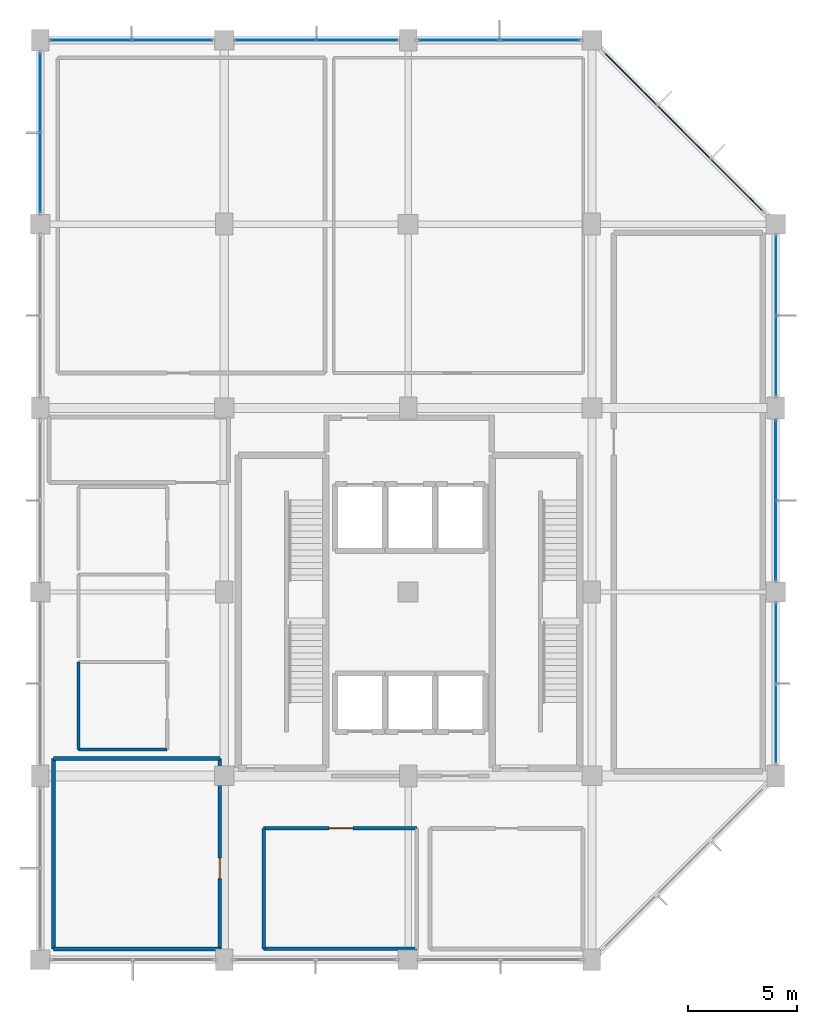
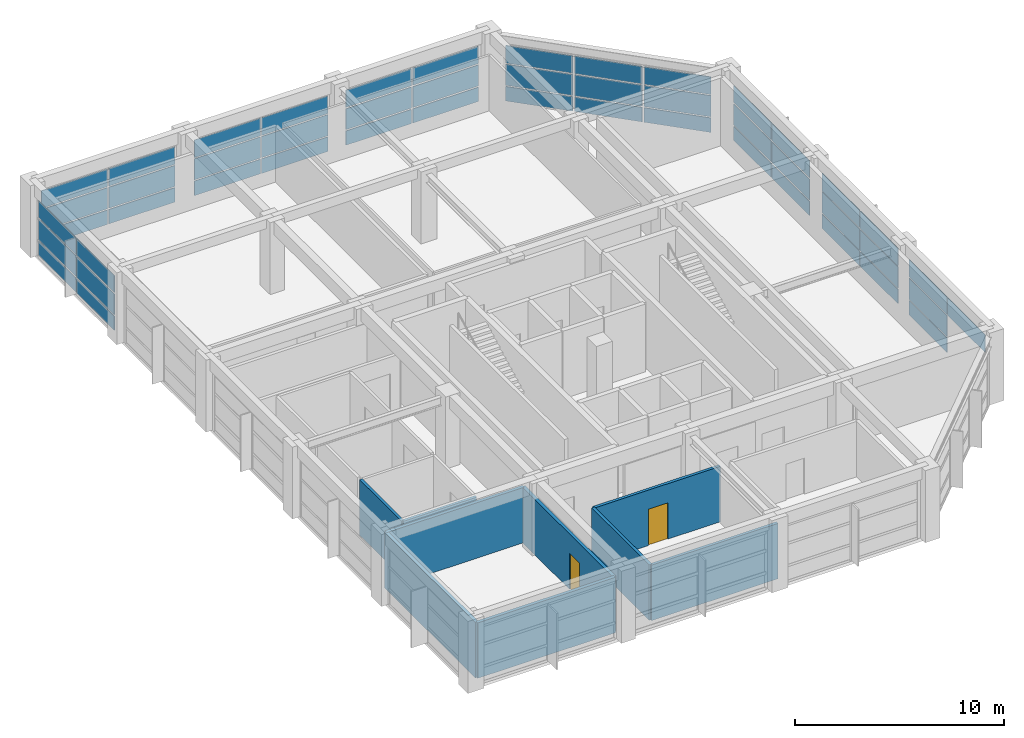
# One storey, part 9 of 12: 49 plates, 9 walls, 2 doors, 2 openings, 8 elements without a shape of their own.
"""IFC4 building model written with IfcOpenShell, lengths in metres."""

from ifc_helpers import new_model, si_unit, direction, frame, frame_2d, origin, origin_2d, place, context, subcontext, project, spatial, rectangle, extrude, material, layer, layer_set, type_object, element, fill, aggregate, save


model = new_model("IFC4")

# Units and contexts
model_context = context("Model", 3, precision=1e-05, world=origin(), true_north=direction((0.0, 1.0)))
body_context = subcontext(model_context, "Body", "Model", "MODEL_VIEW")
ifc_project = project(units=[si_unit("LENGTHUNIT", "METRE"), si_unit("AREAUNIT", "SQUARE_METRE"), si_unit("VOLUMEUNIT", "CUBIC_METRE"), si_unit("PLANEANGLEUNIT", "RADIAN"), si_unit("MASSUNIT", "GRAM", prefix="KILO")], contexts=[model_context])

# Site, building, storey
site_placement = place(None, origin())
site = spatial("IfcSite", under=ifc_project, at=site_placement, CompositionType="ELEMENT")
building_placement = place(site_placement, origin())
building = spatial("IfcBuilding", under=site, at=building_placement, Name="Xuanlan Plaza Opera House", CompositionType="ELEMENT")
storey_placement = place(building_placement, frame((0.0, 0.0, 61.5)))
storey = spatial("IfcBuildingStorey", under=building, at=storey_placement, Name="L14", CompositionType="ELEMENT", Elevation=61.5)

# Curtain wall, plates
ifc_material_1 = material(Name="Anodised Aluminium 6063-T6 and Low-E Glass", Category="aluminium")
curtain_wall_type_1 = type_object("IfcCurtainWallType", Name="ENV-CW-CW-01", PredefinedType="USERDEFINED", material=ifc_material_1)
curtain_wall_1_placement = place(storey_placement, origin())
curtain_wall_1 = element("IfcCurtainWall", 1, at=curtain_wall_1_placement, inside=storey, type_object=curtain_wall_type_1, Name="Unitised Curtain Wall L14-005", ObjectType="UNITISED CURTAIN WALL", PredefinedType="USERDEFINED")
ifc_material_2 = material(Name="Laminated Acoustic Double Glazing", Category="glass")
ifc_layer_1 = layer(ifc_material_2, 0.028076171875)
ifc_layer_set_1 = layer_set([ifc_layer_1], Name="Laminated Acoustic Double Glazing")
plate_type_1 = type_object("IfcPlateType", Name="ENV-CWP-01", PredefinedType="CURTAIN_PANEL", material=ifc_layer_set_1)
plate_1_placement = place(storey_placement, frame((159.60009765625, 52.788818359375, 2.28271484375), z_axis=(0.0, 0.0, 1.0), x_axis=(0.0, 1.0, 0.0)))
plate_1 = element("IfcPlate", 2, at=plate_1_placement, type_object=plate_type_1, Name="CW-01 panel 1.3", PredefinedType="CURTAIN_PANEL", context=body_context, shape_type="SweptSolid", body=[
    extrude(rectangle(XDim=3.607421875, YDim=0.028076171875, at=origin_2d()), origin(), (0.0, 0.0, 1.0), 1.032470703125),
])
plate_2_placement = place(storey_placement, frame((159.60009765625, 56.461181640625, 0.06494140625), z_axis=(0.0, 0.0, 1.0), x_axis=(0.0, 1.0, 0.0)))
plate_2 = element("IfcPlate", 3, at=plate_2_placement, type_object=plate_type_1, Name="CW-01 panel 2.1", PredefinedType="CURTAIN_PANEL", context=body_context, shape_type="SweptSolid", body=[
    extrude(rectangle(XDim=3.607421875, YDim=0.028076171875, at=origin_2d()), origin(), (0.0, 0.0, 1.0), 0.8525390625),
])
plate_3_placement = place(storey_placement, frame((159.60009765625, 56.461181640625, 0.982421875), z_axis=(0.0, 0.0, 1.0), x_axis=(0.0, 1.0, 0.0)))
plate_3 = element("IfcPlate", 4, at=plate_3_placement, type_object=plate_type_1, Name="CW-01 panel 2.2", PredefinedType="CURTAIN_PANEL", context=body_context, shape_type="SweptSolid", body=[
    extrude(rectangle(XDim=3.607421875, YDim=0.028076171875, at=origin_2d()), origin(), (0.0, 0.0, 1.0), 1.235107421875),
])
plate_4_placement = place(storey_placement, frame((159.60009765625, 56.461181640625, 2.28271484375), z_axis=(0.0, 0.0, 1.0), x_axis=(0.0, 1.0, 0.0)))
plate_4 = element("IfcPlate", 5, at=plate_4_placement, type_object=plate_type_1, Name="CW-01 panel 2.3", PredefinedType="CURTAIN_PANEL", context=body_context, shape_type="SweptSolid", body=[
    extrude(rectangle(XDim=3.607421875, YDim=0.028076171875, at=origin_2d()), origin(), (0.0, 0.0, 1.0), 1.032470703125),
])
aggregate(curtain_wall_1, [plate_1, plate_2, plate_3, plate_4])

curtain_wall_type_2 = type_object("IfcCurtainWallType", Name="ENV-CW-CW-02", PredefinedType="USERDEFINED", material=ifc_material_1)
curtain_wall_2_placement = place(storey_placement, origin())
curtain_wall_2 = element("IfcCurtainWall", 6, at=curtain_wall_2_placement, inside=storey, type_object=curtain_wall_type_2, Name="Unitised Curtain Wall L14-010", ObjectType="UNITISED CURTAIN WALL", PredefinedType="USERDEFINED")
plate_5_placement = place(storey_placement, frame((140.486328125, 84.0, 0.06494140625), z_axis=(0.0, 0.0, 1.0), x_axis=(-1.0, 0.0, 0.0)))
plate_5 = element("IfcPlate", 7, at=plate_5_placement, type_object=plate_type_1, Name="CW-02 panel 1.1", PredefinedType="CURTAIN_PANEL", context=body_context, shape_type="SweptSolid", body=[
    extrude(rectangle(XDim=3.657470703125, YDim=0.028076171875, at=origin_2d()), origin(), (0.0, 0.0, 1.0), 0.8525390625),
])
plate_6_placement = place(storey_placement, frame((140.486328125, 84.0, 0.982421875), z_axis=(0.0, 0.0, 1.0), x_axis=(-1.0, 0.0, 0.0)))
plate_6 = element("IfcPlate", 8, at=plate_6_placement, type_object=plate_type_1, Name="CW-02 panel 1.2", PredefinedType="CURTAIN_PANEL", context=body_context, shape_type="SweptSolid", body=[
    extrude(rectangle(XDim=3.657470703125, YDim=0.028076171875, at=origin_2d()), origin(), (0.0, 0.0, 1.0), 1.235107421875),
])
plate_7_placement = place(storey_placement, frame((140.486328125, 84.0, 2.28271484375), z_axis=(0.0, 0.0, 1.0), x_axis=(-1.0, 0.0, 0.0)))
plate_7 = element("IfcPlate", 9, at=plate_7_placement, type_object=plate_type_1, Name="CW-02 panel 1.3", PredefinedType="CURTAIN_PANEL", context=body_context, shape_type="SweptSolid", body=[
    extrude(rectangle(XDim=3.657470703125, YDim=0.028076171875, at=origin_2d()), origin(), (0.0, 0.0, 1.0), 1.032470703125),
])
plate_8_placement = place(storey_placement, frame((136.763671875, 84.0, 0.06494140625), z_axis=(0.0, 0.0, 1.0), x_axis=(-1.0, 0.0, 0.0)))
plate_8 = element("IfcPlate", 10, at=plate_8_placement, type_object=plate_type_1, Name="CW-02 panel 2.1", PredefinedType="CURTAIN_PANEL", context=body_context, shape_type="SweptSolid", body=[
    extrude(rectangle(XDim=3.657470703125, YDim=0.028076171875, at=origin_2d()), origin(), (0.0, 0.0, 1.0), 0.8525390625),
])
plate_9_placement = place(storey_placement, frame((136.763671875, 84.0, 0.982421875), z_axis=(0.0, 0.0, 1.0), x_axis=(-1.0, 0.0, 0.0)))
plate_9 = element("IfcPlate", 11, at=plate_9_placement, type_object=plate_type_1, Name="CW-02 panel 2.2", PredefinedType="CURTAIN_PANEL", context=body_context, shape_type="SweptSolid", body=[
    extrude(rectangle(XDim=3.657470703125, YDim=0.028076171875, at=origin_2d()), origin(), (0.0, 0.0, 1.0), 1.235107421875),
])
plate_10_placement = place(storey_placement, frame((136.763671875, 84.0, 2.28271484375), z_axis=(0.0, 0.0, 1.0), x_axis=(-1.0, 0.0, 0.0)))
plate_10 = element("IfcPlate", 12, at=plate_10_placement, type_object=plate_type_1, Name="CW-02 panel 2.3", PredefinedType="CURTAIN_PANEL", context=body_context, shape_type="SweptSolid", body=[
    extrude(rectangle(XDim=3.657470703125, YDim=0.028076171875, at=origin_2d()), origin(), (0.0, 0.0, 1.0), 1.032470703125),
])
aggregate(curtain_wall_2, [plate_5, plate_6, plate_7, plate_8, plate_9, plate_10])

curtain_wall_type_3 = type_object("IfcCurtainWallType", Name="ENV-CW-CW-03", PredefinedType="USERDEFINED", material=ifc_material_1)
curtain_wall_3_placement = place(storey_placement, origin())
curtain_wall_3 = element("IfcCurtainWall", 13, at=curtain_wall_3_placement, inside=storey, type_object=curtain_wall_type_3, Name="Unitised Curtain Wall L14-007", ObjectType="UNITISED CURTAIN WALL", PredefinedType="USERDEFINED")
ifc_layer_2 = layer(ifc_material_2, 0.031982421875)
ifc_layer_set_2 = layer_set([ifc_layer_2], Name="Laminated Acoustic Double Glazing")
plate_type_2 = type_object("IfcPlateType", Name="ENV-CWP-02", PredefinedType="CURTAIN_PANEL", material=ifc_layer_set_2)
plate_11_placement = place(storey_placement, frame((159.60009765625, 69.59130859375, 0.090087890625), z_axis=(0.0, 0.0, 1.0), x_axis=(0.0, 1.0, 0.0)))
plate_11 = element("IfcPlate", 14, at=plate_11_placement, type_object=plate_type_2, Name="CW-03 panel 1.1", PredefinedType="CURTAIN_PANEL", context=body_context, shape_type="SweptSolid", body=[
    extrude(rectangle(XDim=3.592529296875, YDim=0.031982421875, at=origin_2d()), origin(), (0.0, 0.0, 1.0), 0.81494140625),
])
plate_12_placement = place(storey_placement, frame((159.60009765625, 69.59130859375, 0.9951171875), z_axis=(0.0, 0.0, 1.0), x_axis=(0.0, 1.0, 0.0)))
plate_12 = element("IfcPlate", 15, at=plate_12_placement, type_object=plate_type_2, Name="CW-03 panel 1.2", PredefinedType="CURTAIN_PANEL", context=body_context, shape_type="SweptSolid", body=[
    extrude(rectangle(XDim=3.592529296875, YDim=0.031982421875, at=origin_2d()), origin(), (0.0, 0.0, 1.0), 1.2099609375),
])
plate_13_placement = place(storey_placement, frame((159.60009765625, 69.59130859375, 2.294921875), z_axis=(0.0, 0.0, 1.0), x_axis=(0.0, 1.0, 0.0)))
plate_13 = element("IfcPlate", 16, at=plate_13_placement, type_object=plate_type_2, Name="CW-03 panel 1.3", PredefinedType="CURTAIN_PANEL", context=body_context, shape_type="SweptSolid", body=[
    extrude(rectangle(XDim=3.592529296875, YDim=0.031982421875, at=origin_2d()), origin(), (0.0, 0.0, 1.0), 0.9951171875),
])
plate_14_placement = place(storey_placement, frame((159.60009765625, 73.2587890625, 0.090087890625), z_axis=(0.0, 0.0, 1.0), x_axis=(0.0, 1.0, 0.0)))
plate_14 = element("IfcPlate", 17, at=plate_14_placement, type_object=plate_type_2, Name="CW-03 panel 2.1", PredefinedType="CURTAIN_PANEL", context=body_context, shape_type="SweptSolid", body=[
    extrude(rectangle(XDim=3.592529296875, YDim=0.031982421875, at=origin_2d()), origin(), (0.0, 0.0, 1.0), 0.81494140625),
])
plate_15_placement = place(storey_placement, frame((159.60009765625, 73.2587890625, 0.9951171875), z_axis=(0.0, 0.0, 1.0), x_axis=(0.0, 1.0, 0.0)))
plate_15 = element("IfcPlate", 18, at=plate_15_placement, type_object=plate_type_2, Name="CW-03 panel 2.2", PredefinedType="CURTAIN_PANEL", context=body_context, shape_type="SweptSolid", body=[
    extrude(rectangle(XDim=3.592529296875, YDim=0.031982421875, at=origin_2d()), origin(), (0.0, 0.0, 1.0), 1.2099609375),
])
plate_16_placement = place(storey_placement, frame((159.60009765625, 73.2587890625, 2.294921875), z_axis=(0.0, 0.0, 1.0), x_axis=(0.0, 1.0, 0.0)))
plate_16 = element("IfcPlate", 19, at=plate_16_placement, type_object=plate_type_2, Name="CW-03 panel 2.3", PredefinedType="CURTAIN_PANEL", context=body_context, shape_type="SweptSolid", body=[
    extrude(rectangle(XDim=3.592529296875, YDim=0.031982421875, at=origin_2d()), origin(), (0.0, 0.0, 1.0), 0.9951171875),
])
aggregate(curtain_wall_3, [plate_11, plate_12, plate_13, plate_14, plate_15, plate_16])

curtain_wall_type_4 = type_object("IfcCurtainWallType", Name="ENV-CW-CW-04", PredefinedType="USERDEFINED", material=ifc_material_1)
curtain_wall_4_placement = place(storey_placement, origin())
curtain_wall_4 = element("IfcCurtainWall", 20, at=curtain_wall_4_placement, inside=storey, type_object=curtain_wall_type_4, Name="Unitised Curtain Wall L14-012", ObjectType="UNITISED CURTAIN WALL", PredefinedType="USERDEFINED")
plate_17_placement = place(storey_placement, frame((126.0, 81.608642578125, 0.090087890625), z_axis=(0.0, 0.0, 1.0), x_axis=(0.0, -1.0, 0.0)))
plate_17 = element("IfcPlate", 21, at=plate_17_placement, type_object=plate_type_2, Name="CW-04 panel 1.1", PredefinedType="CURTAIN_PANEL", context=body_context, shape_type="SweptSolid", body=[
    extrude(rectangle(XDim=3.592529296875, YDim=0.031982421875, at=origin_2d()), origin(), (0.0, 0.0, 1.0), 0.81494140625),
])
plate_18_placement = place(storey_placement, frame((126.0, 81.608642578125, 0.9951171875), z_axis=(0.0, 0.0, 1.0), x_axis=(0.0, -1.0, 0.0)))
plate_18 = element("IfcPlate", 22, at=plate_18_placement, type_object=plate_type_2, Name="CW-04 panel 1.2", PredefinedType="CURTAIN_PANEL", context=body_context, shape_type="SweptSolid", body=[
    extrude(rectangle(XDim=3.592529296875, YDim=0.031982421875, at=origin_2d()), origin(), (0.0, 0.0, 1.0), 1.2099609375),
])
plate_19_placement = place(storey_placement, frame((126.0, 81.608642578125, 2.294921875), z_axis=(0.0, 0.0, 1.0), x_axis=(0.0, -1.0, 0.0)))
plate_19 = element("IfcPlate", 23, at=plate_19_placement, type_object=plate_type_2, Name="CW-04 panel 1.3", PredefinedType="CURTAIN_PANEL", context=body_context, shape_type="SweptSolid", body=[
    extrude(rectangle(XDim=3.592529296875, YDim=0.031982421875, at=origin_2d()), origin(), (0.0, 0.0, 1.0), 0.9951171875),
])
plate_20_placement = place(storey_placement, frame((126.0, 77.941162109375, 0.090087890625), z_axis=(0.0, 0.0, 1.0), x_axis=(0.0, -1.0, 0.0)))
plate_20 = element("IfcPlate", 24, at=plate_20_placement, type_object=plate_type_2, Name="CW-04 panel 2.1", PredefinedType="CURTAIN_PANEL", context=body_context, shape_type="SweptSolid", body=[
    extrude(rectangle(XDim=3.592529296875, YDim=0.031982421875, at=origin_2d()), origin(), (0.0, 0.0, 1.0), 0.81494140625),
])
plate_21_placement = place(storey_placement, frame((126.0, 77.941162109375, 0.9951171875), z_axis=(0.0, 0.0, 1.0), x_axis=(0.0, -1.0, 0.0)))
plate_21 = element("IfcPlate", 25, at=plate_21_placement, type_object=plate_type_2, Name="CW-04 panel 2.2", PredefinedType="CURTAIN_PANEL", context=body_context, shape_type="SweptSolid", body=[
    extrude(rectangle(XDim=3.592529296875, YDim=0.031982421875, at=origin_2d()), origin(), (0.0, 0.0, 1.0), 1.2099609375),
])
plate_22_placement = place(storey_placement, frame((126.0, 77.941162109375, 2.294921875), z_axis=(0.0, 0.0, 1.0), x_axis=(0.0, -1.0, 0.0)))
plate_22 = element("IfcPlate", 26, at=plate_22_placement, type_object=plate_type_2, Name="CW-04 panel 2.3", PredefinedType="CURTAIN_PANEL", context=body_context, shape_type="SweptSolid", body=[
    extrude(rectangle(XDim=3.592529296875, YDim=0.031982421875, at=origin_2d()), origin(), (0.0, 0.0, 1.0), 0.9951171875),
])
aggregate(curtain_wall_4, [plate_17, plate_18, plate_19, plate_20, plate_21, plate_22])

curtain_wall_5_placement = place(storey_placement, origin())
curtain_wall_5 = element("IfcCurtainWall", 27, at=curtain_wall_5_placement, inside=storey, type_object=curtain_wall_type_1, Name="Unitised Curtain Wall L14-009", ObjectType="UNITISED CURTAIN WALL", PredefinedType="USERDEFINED")
ifc_layer_3 = layer(ifc_material_2, 0.035888671875)
ifc_layer_set_3 = layer_set([ifc_layer_3], Name="Laminated Acoustic Double Glazing")
plate_type_3 = type_object("IfcPlateType", Name="ENV-CWP-03", PredefinedType="CURTAIN_PANEL", material=ifc_layer_set_3)
plate_23_placement = place(storey_placement, frame((148.830078125, 84.0, 0.080078125), z_axis=(0.0, 0.0, 1.0), x_axis=(-1.0, 0.0, 0.0)))
plate_23 = element("IfcPlate", 28, at=plate_23_placement, type_object=plate_type_3, Name="CW-01 panel 1.1", PredefinedType="CURTAIN_PANEL", context=body_context, shape_type="SweptSolid", body=[
    extrude(rectangle(XDim=3.6201171875, YDim=0.035888671875, at=origin_2d()), origin(), (0.0, 0.0, 1.0), 0.830078125),
])
plate_24_placement = place(storey_placement, frame((148.830078125, 84.0, 0.990234375), z_axis=(0.0, 0.0, 1.0), x_axis=(-1.0, 0.0, 0.0)))
plate_24 = element("IfcPlate", 29, at=plate_24_placement, type_object=plate_type_3, Name="CW-01 panel 1.2", PredefinedType="CURTAIN_PANEL", context=body_context, shape_type="SweptSolid", body=[
    extrude(rectangle(XDim=3.6201171875, YDim=0.035888671875, at=origin_2d()), origin(), (0.0, 0.0, 1.0), 1.219970703125),
])
plate_25_placement = place(storey_placement, frame((148.830078125, 84.0, 2.2900390625), z_axis=(0.0, 0.0, 1.0), x_axis=(-1.0, 0.0, 0.0)))
plate_25 = element("IfcPlate", 30, at=plate_25_placement, type_object=plate_type_3, Name="CW-01 panel 1.3", PredefinedType="CURTAIN_PANEL", context=body_context, shape_type="SweptSolid", body=[
    extrude(rectangle(XDim=3.6201171875, YDim=0.035888671875, at=origin_2d()), origin(), (0.0, 0.0, 1.0), 1.010009765625),
])
plate_26_placement = place(storey_placement, frame((145.1201171875, 84.0, 0.080078125), z_axis=(0.0, 0.0, 1.0), x_axis=(-1.0, 0.0, 0.0)))
plate_26 = element("IfcPlate", 31, at=plate_26_placement, type_object=plate_type_3, Name="CW-01 panel 2.1", PredefinedType="CURTAIN_PANEL", context=body_context, shape_type="SweptSolid", body=[
    extrude(rectangle(XDim=3.6201171875, YDim=0.035888671875, at=origin_2d()), origin(), (0.0, 0.0, 1.0), 0.830078125),
])
plate_27_placement = place(storey_placement, frame((145.1201171875, 84.0, 0.990234375), z_axis=(0.0, 0.0, 1.0), x_axis=(-1.0, 0.0, 0.0)))
plate_27 = element("IfcPlate", 32, at=plate_27_placement, type_object=plate_type_3, Name="CW-01 panel 2.2", PredefinedType="CURTAIN_PANEL", context=body_context, shape_type="SweptSolid", body=[
    extrude(rectangle(XDim=3.6201171875, YDim=0.035888671875, at=origin_2d()), origin(), (0.0, 0.0, 1.0), 1.219970703125),
])
plate_28_placement = place(storey_placement, frame((145.1201171875, 84.0, 2.2900390625), z_axis=(0.0, 0.0, 1.0), x_axis=(-1.0, 0.0, 0.0)))
plate_28 = element("IfcPlate", 33, at=plate_28_placement, type_object=plate_type_3, Name="CW-01 panel 2.3", PredefinedType="CURTAIN_PANEL", context=body_context, shape_type="SweptSolid", body=[
    extrude(rectangle(XDim=3.6201171875, YDim=0.035888671875, at=origin_2d()), origin(), (0.0, 0.0, 1.0), 1.010009765625),
])
aggregate(curtain_wall_5, [plate_23, plate_24, plate_25, plate_26, plate_27, plate_28])

curtain_wall_6_placement = place(storey_placement, origin())
curtain_wall_6 = element("IfcCurtainWall", 34, at=curtain_wall_6_placement, inside=storey, type_object=curtain_wall_type_2, Name="Unitised Curtain Wall L14-006", ObjectType="UNITISED CURTAIN WALL", PredefinedType="USERDEFINED")
ifc_layer_4 = layer(ifc_material_2, 0.0400390625)
ifc_layer_set_4 = layer_set([ifc_layer_4], Name="Laminated Acoustic Double Glazing")
plate_type_4 = type_object("IfcPlateType", Name="ENV-CWP-04", PredefinedType="CURTAIN_PANEL", material=ifc_layer_set_4)
plate_29_placement = place(storey_placement, frame((159.60009765625, 61.139892578125, 0.074951171875), z_axis=(0.0, 0.0, 1.0), x_axis=(0.0, 1.0, 0.0)))
plate_29 = element("IfcPlate", 35, at=plate_29_placement, type_object=plate_type_4, Name="CW-02 panel 1.1", PredefinedType="CURTAIN_PANEL", context=body_context, shape_type="SweptSolid", body=[
    extrude(rectangle(XDim=3.60009765625, YDim=0.0400390625, at=origin_2d()), origin(), (0.0, 0.0, 1.0), 0.83740234375),
])
plate_30_placement = place(storey_placement, frame((159.60009765625, 61.139892578125, 0.987548828125), z_axis=(0.0, 0.0, 1.0), x_axis=(0.0, 1.0, 0.0)))
plate_30 = element("IfcPlate", 36, at=plate_30_placement, type_object=plate_type_4, Name="CW-02 panel 1.2", PredefinedType="CURTAIN_PANEL", context=body_context, shape_type="SweptSolid", body=[
    extrude(rectangle(XDim=3.60009765625, YDim=0.0400390625, at=origin_2d()), origin(), (0.0, 0.0, 1.0), 1.22509765625),
])
plate_31_placement = place(storey_placement, frame((159.60009765625, 61.139892578125, 2.287353515625), z_axis=(0.0, 0.0, 1.0), x_axis=(0.0, 1.0, 0.0)))
plate_31 = element("IfcPlate", 37, at=plate_31_placement, type_object=plate_type_4, Name="CW-02 panel 1.3", PredefinedType="CURTAIN_PANEL", context=body_context, shape_type="SweptSolid", body=[
    extrude(rectangle(XDim=3.60009765625, YDim=0.0400390625, at=origin_2d()), origin(), (0.0, 0.0, 1.0), 1.017578125),
])
plate_32_placement = place(storey_placement, frame((159.60009765625, 64.81005859375, 0.074951171875), z_axis=(0.0, 0.0, 1.0), x_axis=(0.0, 1.0, 0.0)))
plate_32 = element("IfcPlate", 38, at=plate_32_placement, type_object=plate_type_4, Name="CW-02 panel 2.1", PredefinedType="CURTAIN_PANEL", context=body_context, shape_type="SweptSolid", body=[
    extrude(rectangle(XDim=3.60009765625, YDim=0.0400390625, at=origin_2d()), origin(), (0.0, 0.0, 1.0), 0.83740234375),
])
plate_33_placement = place(storey_placement, frame((159.60009765625, 64.81005859375, 0.987548828125), z_axis=(0.0, 0.0, 1.0), x_axis=(0.0, 1.0, 0.0)))
plate_33 = element("IfcPlate", 39, at=plate_33_placement, type_object=plate_type_4, Name="CW-02 panel 2.2", PredefinedType="CURTAIN_PANEL", context=body_context, shape_type="SweptSolid", body=[
    extrude(rectangle(XDim=3.60009765625, YDim=0.0400390625, at=origin_2d()), origin(), (0.0, 0.0, 1.0), 1.22509765625),
])
plate_34_placement = place(storey_placement, frame((159.60009765625, 64.81005859375, 2.287353515625), z_axis=(0.0, 0.0, 1.0), x_axis=(0.0, 1.0, 0.0)))
plate_34 = element("IfcPlate", 40, at=plate_34_placement, type_object=plate_type_4, Name="CW-02 panel 2.3", PredefinedType="CURTAIN_PANEL", context=body_context, shape_type="SweptSolid", body=[
    extrude(rectangle(XDim=3.60009765625, YDim=0.0400390625, at=origin_2d()), origin(), (0.0, 0.0, 1.0), 1.017578125),
])
aggregate(curtain_wall_6, [plate_29, plate_30, plate_31, plate_32, plate_33, plate_34])

curtain_wall_7_placement = place(storey_placement, origin())
curtain_wall_7 = element("IfcCurtainWall", 41, at=curtain_wall_7_placement, inside=storey, type_object=curtain_wall_type_3, Name="Unitised Curtain Wall L14-011", ObjectType="UNITISED CURTAIN WALL", PredefinedType="USERDEFINED")
plate_35_placement = place(storey_placement, frame((132.034912109375, 84.0, 0.074951171875), z_axis=(0.0, 0.0, 1.0), x_axis=(-1.0, 0.0, 0.0)))
plate_35 = element("IfcPlate", 42, at=plate_35_placement, type_object=plate_type_4, Name="CW-03 panel 1.1", PredefinedType="CURTAIN_PANEL", context=body_context, shape_type="SweptSolid", body=[
    extrude(rectangle(XDim=3.64990234375, YDim=0.0400390625, at=origin_2d()), origin(), (0.0, 0.0, 1.0), 0.83740234375),
])
plate_36_placement = place(storey_placement, frame((132.034912109375, 84.0, 0.987548828125), z_axis=(0.0, 0.0, 1.0), x_axis=(-1.0, 0.0, 0.0)))
plate_36 = element("IfcPlate", 43, at=plate_36_placement, type_object=plate_type_4, Name="CW-03 panel 1.2", PredefinedType="CURTAIN_PANEL", context=body_context, shape_type="SweptSolid", body=[
    extrude(rectangle(XDim=3.64990234375, YDim=0.0400390625, at=origin_2d()), origin(), (0.0, 0.0, 1.0), 1.22509765625),
])
plate_37_placement = place(storey_placement, frame((132.034912109375, 84.0, 2.287353515625), z_axis=(0.0, 0.0, 1.0), x_axis=(-1.0, 0.0, 0.0)))
plate_37 = element("IfcPlate", 44, at=plate_37_placement, type_object=plate_type_4, Name="CW-03 panel 1.3", PredefinedType="CURTAIN_PANEL", context=body_context, shape_type="SweptSolid", body=[
    extrude(rectangle(XDim=3.64990234375, YDim=0.0400390625, at=origin_2d()), origin(), (0.0, 0.0, 1.0), 1.017578125),
])
plate_38_placement = place(storey_placement, frame((128.31494140625, 84.0, 0.074951171875), z_axis=(0.0, 0.0, 1.0), x_axis=(-1.0, 0.0, 0.0)))
plate_38 = element("IfcPlate", 45, at=plate_38_placement, type_object=plate_type_4, Name="CW-03 panel 2.1", PredefinedType="CURTAIN_PANEL", context=body_context, shape_type="SweptSolid", body=[
    extrude(rectangle(XDim=3.64990234375, YDim=0.0400390625, at=origin_2d()), origin(), (0.0, 0.0, 1.0), 0.83740234375),
])
plate_39_placement = place(storey_placement, frame((128.31494140625, 84.0, 0.987548828125), z_axis=(0.0, 0.0, 1.0), x_axis=(-1.0, 0.0, 0.0)))
plate_39 = element("IfcPlate", 46, at=plate_39_placement, type_object=plate_type_4, Name="CW-03 panel 2.2", PredefinedType="CURTAIN_PANEL", context=body_context, shape_type="SweptSolid", body=[
    extrude(rectangle(XDim=3.64990234375, YDim=0.0400390625, at=origin_2d()), origin(), (0.0, 0.0, 1.0), 1.22509765625),
])
plate_40_placement = place(storey_placement, frame((128.31494140625, 84.0, 2.287353515625), z_axis=(0.0, 0.0, 1.0), x_axis=(-1.0, 0.0, 0.0)))
plate_40 = element("IfcPlate", 47, at=plate_40_placement, type_object=plate_type_4, Name="CW-03 panel 2.3", PredefinedType="CURTAIN_PANEL", context=body_context, shape_type="SweptSolid", body=[
    extrude(rectangle(XDim=3.64990234375, YDim=0.0400390625, at=origin_2d()), origin(), (0.0, 0.0, 1.0), 1.017578125),
])
aggregate(curtain_wall_7, [plate_35, plate_36, plate_37, plate_38, plate_39, plate_40])

curtain_wall_8_placement = place(storey_placement, origin())
curtain_wall_8 = element("IfcCurtainWall", 48, at=curtain_wall_8_placement, inside=storey, type_object=curtain_wall_type_4, Name="Unitised Curtain Wall L14-008", ObjectType="UNITISED CURTAIN WALL", PredefinedType="USERDEFINED")
ifc_layer_5 = layer(ifc_material_2, 0.0439453125)
ifc_layer_set_5 = layer_set([ifc_layer_5], Name="Laminated Acoustic Double Glazing")
plate_type_5 = type_object("IfcPlateType", Name="ENV-CWP-05", PredefinedType="CURTAIN_PANEL", material=ifc_layer_set_5)
plate_41_placement = place(storey_placement, frame((157.81982421875, 77.380126953125, 0.06982421875), z_axis=(0.0, 0.0, 1.0), x_axis=(-0.707106781187, 0.707106781187, 0.0)))
plate_41 = element("IfcPlate", 49, at=plate_41_placement, type_object=plate_type_5, Name="CW-04 panel 1.1", PredefinedType="CURTAIN_PANEL", context=body_context, shape_type="SweptSolid", body=[
    extrude(rectangle(XDim=3.322265625, YDim=0.0439453125, at=origin_2d()), origin(), (0.0, 0.0, 1.0), 0.844970703125),
])
plate_42_placement = place(storey_placement, frame((157.81982421875, 77.380126953125, 0.985107421875), z_axis=(0.0, 0.0, 1.0), x_axis=(-0.707106781187, 0.707106781187, 0.0)))
plate_42 = element("IfcPlate", 50, at=plate_42_placement, type_object=plate_type_5, Name="CW-04 panel 1.2", PredefinedType="CURTAIN_PANEL", context=body_context, shape_type="SweptSolid", body=[
    extrude(rectangle(XDim=3.322265625, YDim=0.0439453125, at=origin_2d()), origin(), (0.0, 0.0, 1.0), 1.22998046875),
])
plate_43_placement = place(storey_placement, frame((157.81982421875, 77.380126953125, 2.28515625), z_axis=(0.0, 0.0, 1.0), x_axis=(-0.707106781187, 0.707106781187, 0.0)))
plate_43 = element("IfcPlate", 51, at=plate_43_placement, type_object=plate_type_5, Name="CW-04 panel 1.3", PredefinedType="CURTAIN_PANEL", context=body_context, shape_type="SweptSolid", body=[
    extrude(rectangle(XDim=3.322265625, YDim=0.0439453125, at=origin_2d()), origin(), (0.0, 0.0, 1.0), 1.02490234375),
])
plate_44_placement = place(storey_placement, frame((155.39990234375, 79.800048828125, 0.06982421875), z_axis=(0.0, 0.0, 1.0), x_axis=(-0.707106781187, 0.707106781187, 0.0)))
plate_44 = element("IfcPlate", 52, at=plate_44_placement, type_object=plate_type_5, Name="CW-04 panel 2.1", PredefinedType="CURTAIN_PANEL", context=body_context, shape_type="SweptSolid", body=[
    extrude(rectangle(XDim=3.3623046875, YDim=0.0439453125, at=origin_2d()), origin(), (0.0, 0.0, 1.0), 0.844970703125),
])
plate_45_placement = place(storey_placement, frame((155.39990234375, 79.800048828125, 0.985107421875), z_axis=(0.0, 0.0, 1.0), x_axis=(-0.707106781187, 0.707106781187, 0.0)))
plate_45 = element("IfcPlate", 53, at=plate_45_placement, type_object=plate_type_5, Name="CW-04 panel 2.2", PredefinedType="CURTAIN_PANEL", context=body_context, shape_type="SweptSolid", body=[
    extrude(rectangle(XDim=3.3623046875, YDim=0.0439453125, at=origin_2d()), origin(), (0.0, 0.0, 1.0), 1.22998046875),
])
plate_46_placement = place(storey_placement, frame((155.39990234375, 79.800048828125, 2.28515625), z_axis=(0.0, 0.0, 1.0), x_axis=(-0.707106781187, 0.707106781187, 0.0)))
plate_46 = element("IfcPlate", 54, at=plate_46_placement, type_object=plate_type_5, Name="CW-04 panel 2.3", PredefinedType="CURTAIN_PANEL", context=body_context, shape_type="SweptSolid", body=[
    extrude(rectangle(XDim=3.3623046875, YDim=0.0439453125, at=origin_2d()), origin(), (0.0, 0.0, 1.0), 1.02490234375),
])
plate_47_placement = place(storey_placement, frame((152.980224609375, 82.219970703125, 0.06982421875), z_axis=(0.0, 0.0, 1.0), x_axis=(-0.707106781187, 0.707106781187, 0.0)))
plate_47 = element("IfcPlate", 55, at=plate_47_placement, type_object=plate_type_5, Name="CW-04 panel 3.1", PredefinedType="CURTAIN_PANEL", context=body_context, shape_type="SweptSolid", body=[
    extrude(rectangle(XDim=3.322265625, YDim=0.0439453125, at=origin_2d()), origin(), (0.0, 0.0, 1.0), 0.844970703125),
])
plate_48_placement = place(storey_placement, frame((152.980224609375, 82.219970703125, 0.985107421875), z_axis=(0.0, 0.0, 1.0), x_axis=(-0.707106781187, 0.707106781187, 0.0)))
plate_48 = element("IfcPlate", 56, at=plate_48_placement, type_object=plate_type_5, Name="CW-04 panel 3.2", PredefinedType="CURTAIN_PANEL", context=body_context, shape_type="SweptSolid", body=[
    extrude(rectangle(XDim=3.322265625, YDim=0.0439453125, at=origin_2d()), origin(), (0.0, 0.0, 1.0), 1.22998046875),
])
plate_49_placement = place(storey_placement, frame((152.980224609375, 82.219970703125, 2.28515625), z_axis=(0.0, 0.0, 1.0), x_axis=(-0.707106781187, 0.707106781187, 0.0)))
plate_49 = element("IfcPlate", 57, at=plate_49_placement, type_object=plate_type_5, Name="CW-04 panel 3.3", PredefinedType="CURTAIN_PANEL", context=body_context, shape_type="SweptSolid", body=[
    extrude(rectangle(XDim=3.322265625, YDim=0.0439453125, at=origin_2d()), origin(), (0.0, 0.0, 1.0), 1.02490234375),
])
aggregate(curtain_wall_8, [plate_41, plate_42, plate_43, plate_44, plate_45, plate_46, plate_47, plate_48, plate_49])

# Walls
ifc_material_3 = material(Name="Gypsum Board and Galvanised Steel Studs", Category="gypsum")
ifc_layer_6 = layer(ifc_material_3, 0.179931640625)
ifc_layer_set_6 = layer_set([ifc_layer_6], Name="Gypsum Board and Galvanised Steel Studs")
wall_type_1 = type_object("IfcWallType", Name="INT-WL-PW-02", PredefinedType="PARTITIONING", material=ifc_layer_set_6)
for number, where, z_axis, x_axis, name in (
    (58, (126.60009765625, 42.5, 0.0), (0.0, 0.0, 1.0), (1.0, 0.0, 0.0), "Curatorial Research Office Wall South"),
    (59, (126.60009765625, 51.199951171875, 0.0), (0.0, 0.0, 1.0), (1.0, 0.0, 0.0), "Curatorial Research Office Wall North"),
):
    element("IfcWall", number, at=place(storey_placement, frame(where, z_axis=z_axis, x_axis=x_axis)), inside=storey, type_object=wall_type_1, Name=name, PredefinedType="PARTITIONING", context=body_context, shape_type="SweptSolid", body=[
        extrude(rectangle(XDim=7.599853515625, YDim=0.179931640625, at=frame_2d((3.7998046875, 0.0))), origin(), (0.0, 0.0, 1.0), 3.239990234375),
    ])
wall_1_placement = place(storey_placement, frame((126.60009765625, 42.5, 0.0), z_axis=(0.0, 0.0, 1.0), x_axis=(0.0, 1.0, 0.0)))
element("IfcWall", 60, at=wall_1_placement, inside=storey, type_object=wall_type_1, Name="Curatorial Research Office Wall West", PredefinedType="PARTITIONING", context=body_context, shape_type="SweptSolid", body=[
    extrude(rectangle(XDim=8.699951171875, YDim=0.179931640625, at=frame_2d((4.35009765625, 0.0))), origin(), (0.0, 0.0, 1.0), 3.239990234375),
])

# Wall, opening, door
wall_2_placement = place(storey_placement, frame((134.199951171875, 42.5, 0.0), z_axis=(0.0, 0.0, 1.0), x_axis=(0.0, 1.0, 0.0)))
wall_2 = element("IfcWall", 61, at=wall_2_placement, inside=storey, type_object=wall_type_1, Name="Curatorial Research Office Wall East", PredefinedType="PARTITIONING", context=body_context, shape_type="SweptSolid", body=[
    extrude(rectangle(XDim=8.699951171875, YDim=0.179931640625, at=frame_2d((4.35009765625, 0.0))), origin(), (0.0, 0.0, 1.0), 3.239990234375),
])
opening_1_placement = place(wall_2_placement, frame((3.199951171875, 0.0, 0.0)))
opening_1 = element("IfcOpeningElement", 62, at=opening_1_placement, cuts=wall_2, Name="Opening D-01", PredefinedType="OPENING", context=body_context, shape_type="SweptSolid", body=[
    extrude(rectangle(XDim=0.949951171875, YDim=2.10009765625, at=frame_2d((0.47509765625, 1.050048828125))), frame((0.0, 0.099853515625, 0.0), z_axis=(0.0, -1.0, 0.0), x_axis=(1.0, 0.0, 0.0)), (0.0, 0.0, 1.0), 0.199951171875),
])
ifc_material_4 = material(Name="Walnut Hardwood Timber", Category="wood")
door_type_1 = type_object("IfcDoorType", Name="INT-DR-D-01", OperationType="NOTDEFINED", PredefinedType="DOOR", material=ifc_material_4)
door_1_placement = place(opening_1_placement, origin())
door_1 = element("IfcDoor", 63, at=door_1_placement, inside=storey, type_object=door_type_1, Name="Curatorial Research Office Door 1", OperationType="SINGLE_SWING_RIGHT", OverallHeight=2.10009765625, OverallWidth=0.949951171875, PredefinedType="DOOR", context=body_context, shape_type="SweptSolid", body=[
    extrude(rectangle(XDim=0.949951171875, YDim=2.10009765625, at=frame_2d((0.47509765625, 1.050048828125))), frame((0.0, 0.02490234375, 0.0), z_axis=(0.0, -1.0, 0.0), x_axis=(1.0, 0.0, 0.0)), (0.0, 0.0, 1.0), 0.050048828125),
])
fill(opening_1, door_1)

# Walls
ifc_material_5 = material(Name="Autoclaved Aerated Blockwork Masonry", Category="masonry")
ifc_layer_7 = layer(ifc_material_5, 0.14990234375)
ifc_layer_set_7 = layer_set([ifc_layer_7], Name="Autoclaved Aerated Blockwork Masonry")
wall_type_2 = type_object("IfcWallType", Name="INT-WL-PW-03", PredefinedType="PARTITIONING", material=ifc_layer_set_7)
wall_3_placement = place(storey_placement, frame((127.75, 51.60009765625, 0.0), z_axis=(0.0, 0.0, 1.0), x_axis=(1.0, 0.0, 0.0)))
element("IfcWall", 64, at=wall_3_placement, inside=storey, type_object=wall_type_2, Name="Public WC Wall South", PredefinedType="PARTITIONING", context=body_context, shape_type="SweptSolid", body=[
    extrude(rectangle(XDim=4.050048828125, YDim=0.14990234375, at=frame_2d((2.02490234375, 0.0))), origin(), (0.0, 0.0, 1.0), 3.239990234375),
])
wall_4_placement = place(storey_placement, frame((127.75, 51.60009765625, 0.0), z_axis=(0.0, 0.0, 1.0), x_axis=(0.0, 1.0, 0.0)))
element("IfcWall", 65, at=wall_4_placement, inside=storey, type_object=wall_type_2, Name="Public WC Wall West", PredefinedType="PARTITIONING", context=body_context, shape_type="SweptSolid", body=[
    extrude(rectangle(XDim=4.0, YDim=0.14990234375, at=frame_2d((2.0, 0.0))), origin(), (0.0, 0.0, 1.0), 3.239990234375),
])
ifc_layer_8 = layer(ifc_material_3, 0.159912109375)
ifc_layer_set_8 = layer_set([ifc_layer_8], Name="Gypsum Board and Galvanised Steel Studs")
wall_type_3 = type_object("IfcWallType", Name="INT-WL-PW-05", PredefinedType="PARTITIONING", material=ifc_layer_set_8)
wall_5_placement = place(storey_placement, frame((136.199951171875, 42.5, 0.0), z_axis=(0.0, 0.0, 1.0), x_axis=(1.0, 0.0, 0.0)))
element("IfcWall", 66, at=wall_5_placement, inside=storey, type_object=wall_type_3, Name="Chamber Music Coaching Studio Wall South", PredefinedType="PARTITIONING", context=body_context, shape_type="SweptSolid", body=[
    extrude(rectangle(XDim=7.0, YDim=0.159912109375, at=frame_2d((3.5, 0.0))), origin(), (0.0, 0.0, 1.0), 3.239990234375),
])

# Wall, opening, door
wall_6_placement = place(storey_placement, frame((136.199951171875, 48.0, 0.0), z_axis=(0.0, 0.0, 1.0), x_axis=(1.0, 0.0, 0.0)))
wall_6 = element("IfcWall", 67, at=wall_6_placement, inside=storey, type_object=wall_type_3, Name="Chamber Music Coaching Studio Wall North", PredefinedType="PARTITIONING", context=body_context, shape_type="SweptSolid", body=[
    extrude(rectangle(XDim=7.0, YDim=0.159912109375, at=frame_2d((3.5, 0.0))), origin(), (0.0, 0.0, 1.0), 3.239990234375),
])
opening_2_placement = place(wall_6_placement, frame((3.0, 0.0, 0.0)))
opening_2 = element("IfcOpeningElement", 68, at=opening_2_placement, cuts=wall_6, Name="Opening D-06", PredefinedType="OPENING", context=body_context, shape_type="SweptSolid", body=[
    extrude(rectangle(XDim=1.080078125, YDim=2.1201171875, at=frame_2d((0.5400390625, 1.06005859375))), frame((0.0, 0.08984375, 0.0), z_axis=(0.0, -1.0, 0.0), x_axis=(1.0, 0.0, 0.0)), (0.0, 0.0, 1.0), 0.179931640625),
])
ifc_material_6 = material(Name="Oak Hardwood Timber", Category="wood")
door_type_2 = type_object("IfcDoorType", Name="INT-DR-D-06", OperationType="NOTDEFINED", PredefinedType="DOOR", material=ifc_material_6)
door_2_placement = place(opening_2_placement, origin())
door_2 = element("IfcDoor", 69, at=door_2_placement, inside=storey, type_object=door_type_2, Name="Chamber Music Coaching Studio Door 1", OperationType="SINGLE_SWING_LEFT", OverallHeight=2.1201171875, OverallWidth=1.080078125, PredefinedType="DOOR", context=body_context, shape_type="SweptSolid", body=[
    extrude(rectangle(XDim=1.080078125, YDim=2.1201171875, at=frame_2d((0.5400390625, 1.06005859375))), frame((0.0, 0.02490234375, 0.0), z_axis=(0.0, -1.0, 0.0), x_axis=(1.0, 0.0, 0.0)), (0.0, 0.0, 1.0), 0.050048828125),
])
fill(opening_2, door_2)

# Wall
wall_7_placement = place(storey_placement, frame((136.199951171875, 42.5, 0.0), z_axis=(0.0, 0.0, 1.0), x_axis=(0.0, 1.0, 0.0)))
element("IfcWall", 70, at=wall_7_placement, inside=storey, type_object=wall_type_3, Name="Chamber Music Coaching Studio Wall West", PredefinedType="PARTITIONING", context=body_context, shape_type="SweptSolid", body=[
    extrude(rectangle(XDim=5.5, YDim=0.159912109375, at=frame_2d((2.75, 0.0))), origin(), (0.0, 0.0, 1.0), 3.239990234375),
])

save(model, "model.ifc")
